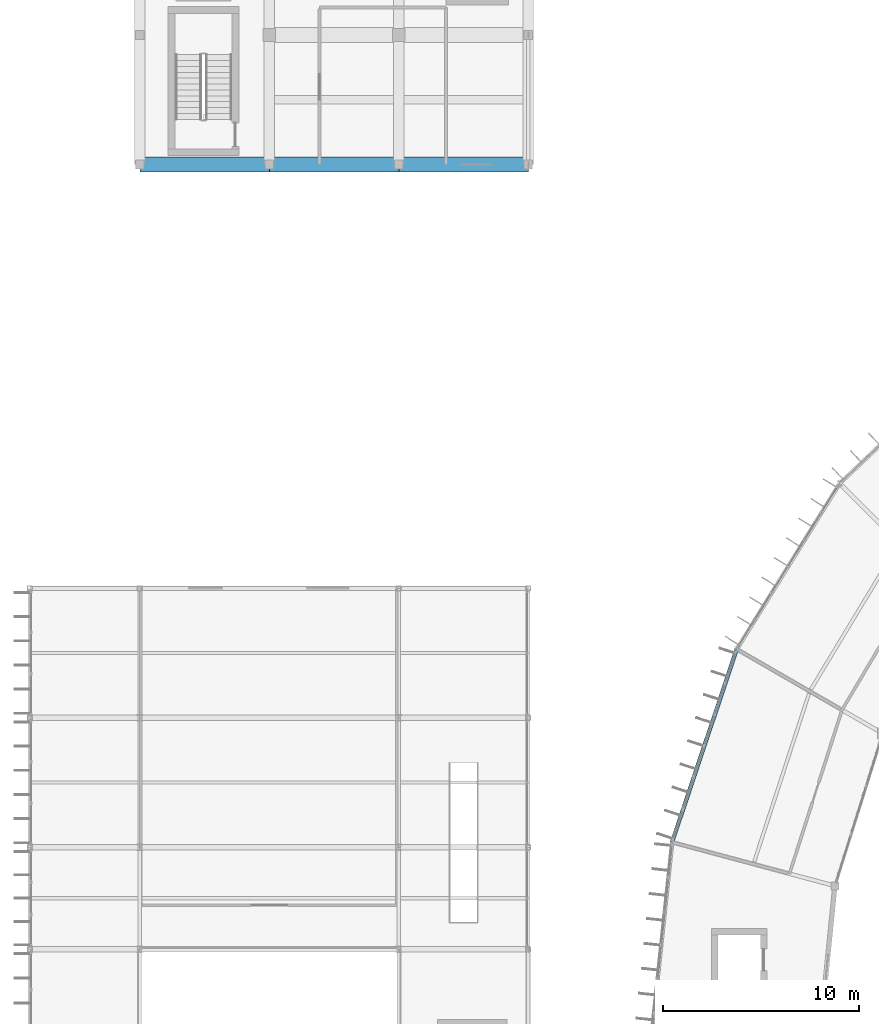
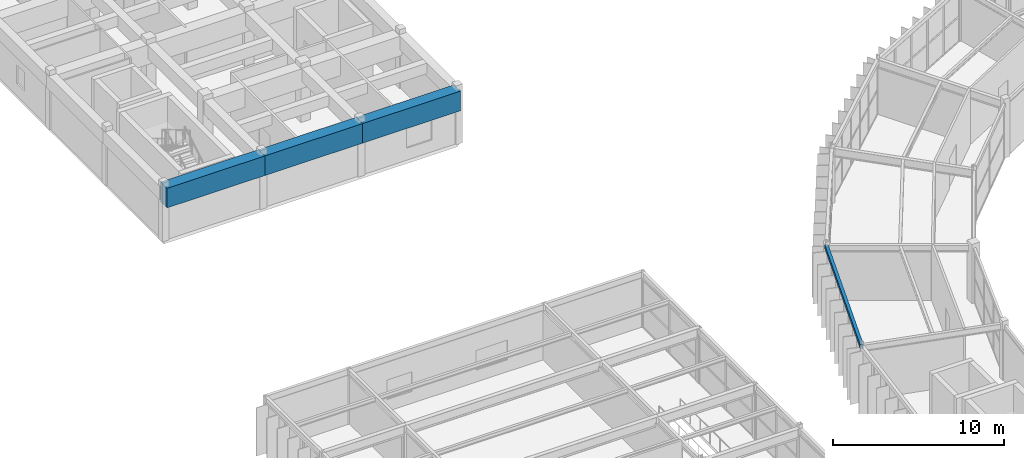
# One storey, part 83 of 157: 4 beams.
"""IFC4 building model written with IfcOpenShell, lengths in metres."""

from ifc_helpers import new_model, si_unit, direction, frame, origin, origin_2d, place, context, subcontext, project, spatial, rectangle, hollow_rectangle, extrude, material, material_profile, profile_set, type_object, element, save


model = new_model("IFC4")

# Units and contexts
model_context = context("Model", 3, precision=1e-05, world=origin(), true_north=direction((0.0, 1.0)))
body_context = subcontext(model_context, "Body", "Model", "MODEL_VIEW")
ifc_project = project(units=[si_unit("LENGTHUNIT", "METRE"), si_unit("AREAUNIT", "SQUARE_METRE"), si_unit("VOLUMEUNIT", "CUBIC_METRE"), si_unit("PLANEANGLEUNIT", "RADIAN"), si_unit("MASSUNIT", "GRAM", prefix="KILO")], contexts=[model_context])

# Site, building, storey
site_placement = place(None, origin())
site = spatial("IfcSite", under=ifc_project, at=site_placement, CompositionType="ELEMENT")
building_placement = place(site_placement, origin())
building = spatial("IfcBuilding", under=site, at=building_placement, Name="Karori Crest Natural Sciences Institute", CompositionType="ELEMENT")
storey_placement = place(building_placement, frame((0.0, 0.0, 13.300048828125)))
storey = spatial("IfcBuildingStorey", under=building, at=storey_placement, Name="L03", CompositionType="ELEMENT", Elevation=13.300048828125)

# Beams
ifc_material_1 = material(Name="Hollow structural steel AS/NZS 1163 Grade C350", Category="steel")
ifc_material_profile_1 = material_profile(ifc_material_1, hollow_rectangle(XDim=0.199951171875, YDim=0.300048828125, WallThickness=0.010009765625, at=origin_2d()), Name="RHS300x200x10")
ifc_profile_set_1 = profile_set([ifc_material_profile_1], Name="Hollow structural steel AS/NZS 1163 Grade C350")
beam_type_1 = type_object("IfcBeamType", Name="BT-15", PredefinedType="SPANDREL", material=ifc_profile_set_1)
beam_1_placement = place(storey_placement, frame((37.8212890625, 70.300048828125, 3.7900390625), z_axis=(-0.317681238028, -0.948197569605, 0.0), x_axis=(0.948197569605, -0.317681238028, 0.0)))
element("IfcBeam", 1, at=beam_1_placement, inside=storey, type_object=beam_type_1, Name="Beam B-0399", PredefinedType="SPANDREL", context=body_context, shape_type="SweptSolid", body=[
    extrude(hollow_rectangle(XDim=0.199951171875, YDim=0.300048828125, WallThickness=0.010009765625, at=origin_2d()), origin(), (0.0, 0.0, 1.0), 10.3779296875),
])
ifc_material_2 = material(Name="Concrete 50 MPa", Category="concrete")
ifc_material_profile_2 = material_profile(ifc_material_2, rectangle(XDim=0.75, YDim=1.39990234375, at=origin_2d()), Name="RCB750x1400")
ifc_profile_set_2 = profile_set([ifc_material_profile_2], Name="Concrete 50 MPa")
beam_type_2 = type_object("IfcBeamType", Name="BT-17", PredefinedType="BEAM", material=ifc_profile_set_2)
for number, where, z_axis, x_axis, name in (
    (2, (7.39990234375, 95.0, 3.14990234375), (1.0, 0.0, 0.0), (0.0, 1.0, 0.0), "Beam B-1648"),
    (3, (14.0, 95.0, 3.14990234375), (1.0, 0.0, 0.0), (0.0, 1.0, 0.0), "Beam B-1649"),
):
    element("IfcBeam", number, at=place(storey_placement, frame(where, z_axis=z_axis, x_axis=x_axis)), inside=storey, type_object=beam_type_2, Name=name, PredefinedType="BEAM", context=body_context, shape_type="SweptSolid", body=[
        extrude(rectangle(XDim=0.75, YDim=1.39990234375, at=origin_2d()), origin(), (0.0, 0.0, 1.0), 6.60009765625),
    ])
beam_2_placement = place(storey_placement, frame((20.60009765625, 95.0, 3.14990234375), z_axis=(1.0, 0.0, 0.0), x_axis=(0.0, 1.0, 0.0)))
element("IfcBeam", 4, at=beam_2_placement, inside=storey, type_object=beam_type_2, Name="Beam B-1650", PredefinedType="BEAM", context=body_context, shape_type="SweptSolid", body=[
    extrude(rectangle(XDim=0.75, YDim=1.39990234375, at=origin_2d()), origin(), (0.0, 0.0, 1.0), 6.599853515625),
])

save(model, "model.ifc")
